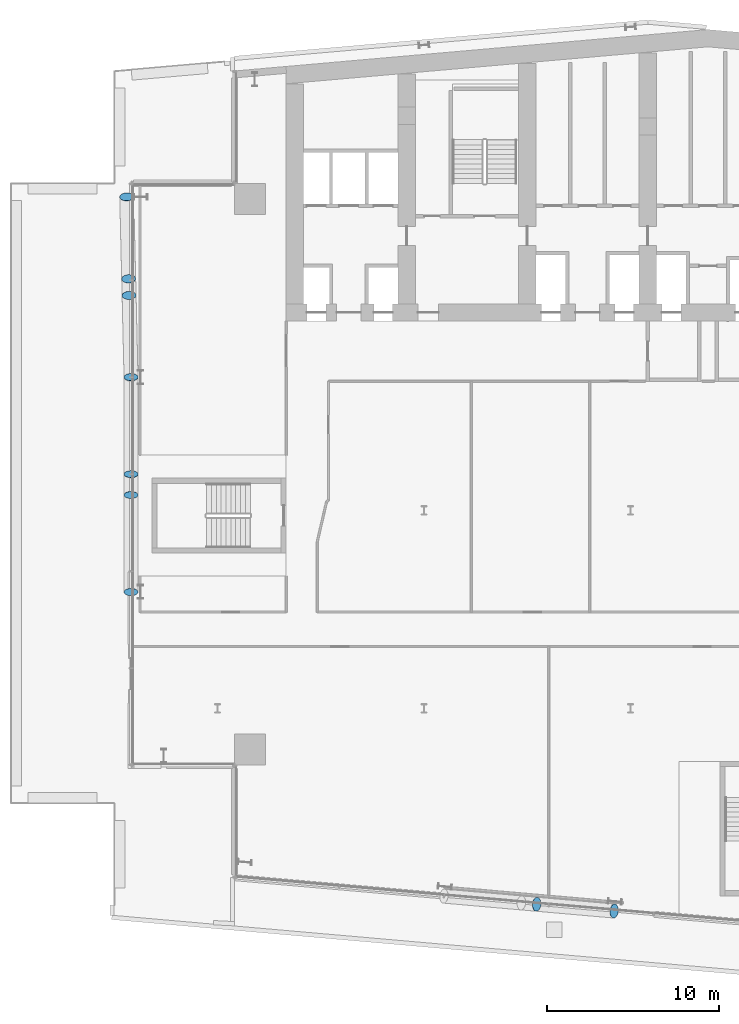
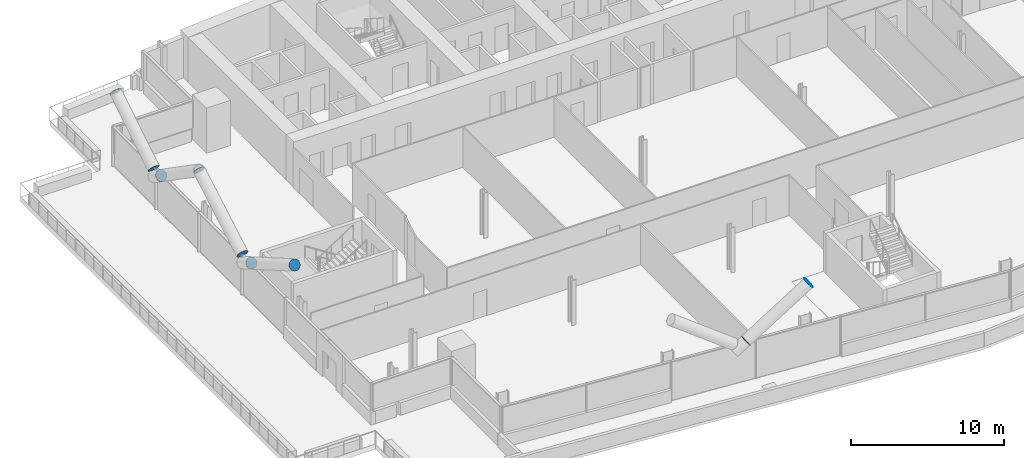
# One storey, part 20 of 26: 9 discrete accessories.
"""IFC4 building model written with IfcOpenShell, lengths in metres."""

from ifc_helpers import new_model, si_unit, direction, frame, origin, origin_2d, place, context, subcontext, project, spatial, circle, extrude, material, material_profile, profile_set, type_object, element, save


model = new_model("IFC4")

# Units and contexts
model_context = context("Model", 3, precision=1e-05, world=origin(), true_north=direction((0.0, 1.0)))
body_context = subcontext(model_context, "Body", "Model", "MODEL_VIEW")
ifc_project = project(units=[si_unit("LENGTHUNIT", "METRE"), si_unit("AREAUNIT", "SQUARE_METRE"), si_unit("VOLUMEUNIT", "CUBIC_METRE"), si_unit("PLANEANGLEUNIT", "RADIAN"), si_unit("MASSUNIT", "GRAM", prefix="KILO")], contexts=[model_context])

# Site, building, storey
site_placement = place(None, origin())
site = spatial("IfcSite", under=ifc_project, at=site_placement, CompositionType="ELEMENT")
building_placement = place(site_placement, origin())
building = spatial("IfcBuilding", under=site, at=building_placement, Name="Wharfspan Tower", CompositionType="ELEMENT")
storey_placement = place(building_placement, frame((0.0, 0.0, 96.699951)))
storey = spatial("IfcBuildingStorey", under=building, at=storey_placement, Name="L21", CompositionType="ELEMENT", Elevation=96.699951)

# Discrete accessories
ifc_material = material(Name="Steel S460NH", Category="steel")
ifc_material_profile = material_profile(ifc_material, circle(Radius=0.406494, at=origin_2d()))
ifc_profile_set = profile_set([ifc_material_profile], Name="Steel S460NH")
discrete_accessory_type = type_object("IfcDiscreteAccessoryType", Name="End plate CHS 813x40", PredefinedType="BRACKET", material=ifc_profile_set)
discrete_accessory_1_placement = place(storey_placement, frame((30.543457, 0.125244, 3.220947), z_axis=(0.795008, -0.072273, 0.602279), x_axis=(0.090536, 0.995894, -1e-06)))
element("IfcDiscreteAccessory", 1, at=discrete_accessory_1_placement, inside=storey, type_object=discrete_accessory_type, Name="End plate CHS 813x40", PredefinedType="BRACKET", context=body_context, shape_type="SweptSolid", body=[
    extrude(circle(Radius=0.406494, at=origin_2d()), origin(), (0.0, 0.0, 1.0), 0.010254),
])
discrete_accessory_2_placement = place(storey_placement, frame((35.040771, -0.268311, 6.5), z_axis=(0.806559, -0.073324, 0.586588), x_axis=(0.090536, 0.99589, 0.0)))
element("IfcDiscreteAccessory", 2, at=discrete_accessory_2_placement, inside=storey, type_object=discrete_accessory_type, Name="End plate CHS 813x40", PredefinedType="BRACKET", context=body_context, shape_type="SweptSolid", body=[
    extrude(circle(Radius=0.406494, at=origin_2d()), origin(), (0.0, 0.0, 1.0), 0.01001),
])
discrete_accessory_3_placement = place(storey_placement, frame((6.985107, 23.902588, 3.245117), z_axis=(0.0, -0.868243, 0.496139), x_axis=(1.0, 0.0, 0.0)))
element("IfcDiscreteAccessory", 3, at=discrete_accessory_3_placement, inside=storey, type_object=discrete_accessory_type, Name="End plate CHS 813x40", PredefinedType="BRACKET", context=body_context, shape_type="SweptSolid", body=[
    extrude(circle(Radius=0.406494, at=origin_2d()), origin(), (0.0, 0.0, 1.0), 0.009766),
])
discrete_accessory_4_placement = place(storey_placement, frame((6.985107, 18.266602, 6.5), z_axis=(0.0, -0.857493, 0.514496), x_axis=(1.0, 0.0, 0.0)))
element("IfcDiscreteAccessory", 4, at=discrete_accessory_4_placement, inside=storey, type_object=discrete_accessory_type, Name="End plate CHS 813x40", PredefinedType="BRACKET", context=body_context, shape_type="SweptSolid", body=[
    extrude(circle(Radius=0.406494, at=origin_2d()), origin(), (0.0, 0.0, 1.0), 0.01001),
])
discrete_accessory_5_placement = place(storey_placement, frame((6.985107, 25.097412, 3.245117), z_axis=(0.0, 0.868243, 0.496139), x_axis=(-1.0, 0.0, 0.0)))
element("IfcDiscreteAccessory", 5, at=discrete_accessory_5_placement, inside=storey, type_object=discrete_accessory_type, Name="End plate CHS 813x40", PredefinedType="BRACKET", context=body_context, shape_type="SweptSolid", body=[
    extrude(circle(Radius=0.406494, at=origin_2d()), origin(), (0.0, 0.0, 1.0), 0.009766),
])
discrete_accessory_6_placement = place(storey_placement, frame((6.985107, 30.733398, 6.5), z_axis=(0.0, 0.857493, 0.514496), x_axis=(-1.0, 0.0, 0.0)))
element("IfcDiscreteAccessory", 6, at=discrete_accessory_6_placement, inside=storey, type_object=discrete_accessory_type, Name="End plate CHS 813x40", PredefinedType="BRACKET", context=body_context, shape_type="SweptSolid", body=[
    extrude(circle(Radius=0.406494, at=origin_2d()), origin(), (0.0, 0.0, 1.0), 0.01001),
])
discrete_accessory_7_placement = place(storey_placement, frame((6.87085, 35.494385, 3.227295), z_axis=(0.024022, -0.816732, 0.576517), x_axis=(0.99957, 0.029399, -1e-06)))
element("IfcDiscreteAccessory", 7, at=discrete_accessory_7_placement, inside=storey, type_object=discrete_accessory_type, Name="End plate CHS 813x40", PredefinedType="BRACKET", context=body_context, shape_type="SweptSolid", body=[
    extrude(circle(Radius=0.406494, at=origin_2d()), origin(), (0.0, 0.0, 1.0), 0.010254),
])
for number, where, z_axis, x_axis, name in (
    (8, (6.848145, 36.447021, 3.227295), (-0.0245, 0.808493, 0.587995), (-0.999537, -0.03029, 1e-06), "End plate CHS 813x40"),
    (9, (6.734131, 41.208008, 6.5), (-0.024354, 0.828038, 0.560143), (-0.999568, -0.029399, 0.0), "End plate CHS 813x40"),
):
    element("IfcDiscreteAccessory", number, at=place(storey_placement, frame(where, z_axis=z_axis, x_axis=x_axis)), inside=storey, type_object=discrete_accessory_type, Name=name, PredefinedType="BRACKET", context=body_context, shape_type="SweptSolid", body=[
        extrude(circle(Radius=0.406494, at=origin_2d()), origin(), (0.0, 0.0, 1.0), 0.01001),
    ])

save(model, "model.ifc")
